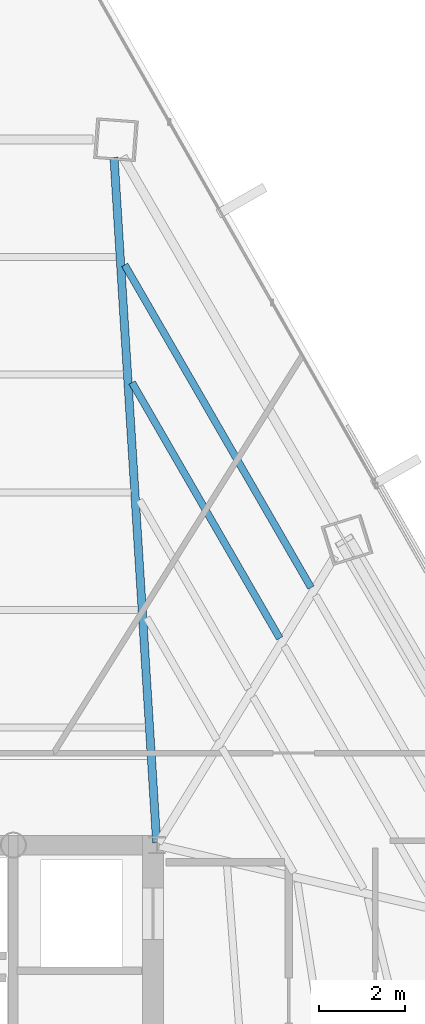
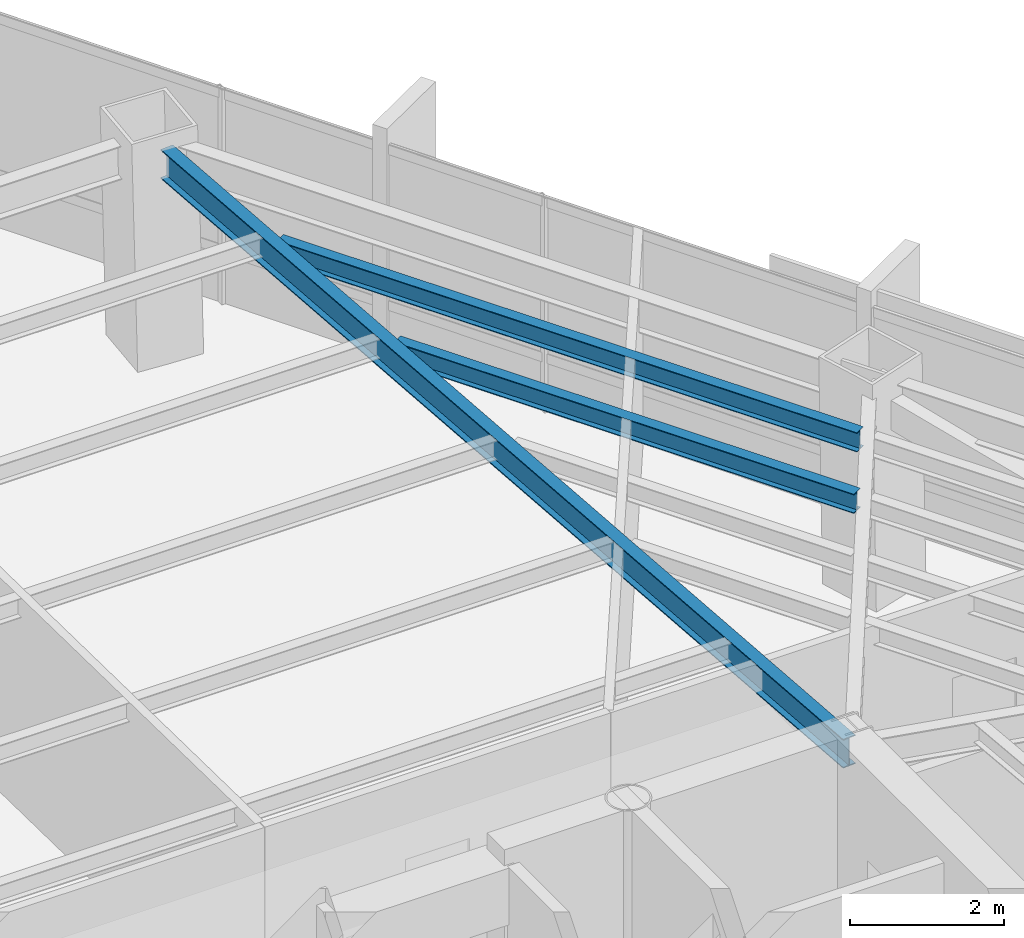
# One storey, part 30 of 39: 3 beams.
"""IFC4 building model written with IfcOpenShell, lengths in metres."""

from ifc_helpers import new_model, si_unit, direction, frame, origin, origin_2d, place, context, subcontext, project, spatial, i_section, extrude, source, transform, mapped, material, material_profile, profile_set, type_object, type_shapes, element, save


model = new_model("IFC4")

# Units and contexts
model_context = context("Model", 3, precision=1e-05, world=origin(), true_north=direction((0.0, 1.0)))
body_context = subcontext(model_context, "Body", "Model", "MODEL_VIEW")
ifc_project = project(units=[si_unit("LENGTHUNIT", "METRE"), si_unit("AREAUNIT", "SQUARE_METRE"), si_unit("VOLUMEUNIT", "CUBIC_METRE"), si_unit("PLANEANGLEUNIT", "RADIAN"), si_unit("MASSUNIT", "GRAM", prefix="KILO")], contexts=[model_context])

# Site, building, storey
site_placement = place(None, origin())
site = spatial("IfcSite", under=ifc_project, at=site_placement, CompositionType="ELEMENT")
building_placement = place(site_placement, origin())
building = spatial("IfcBuilding", under=site, at=building_placement, Name="Caelisora Broadcast Tower", CompositionType="ELEMENT")
storey_placement = place(building_placement, frame((0.0, 0.0, 142.75)))
storey = spatial("IfcBuildingStorey", under=building, at=storey_placement, Name="L37", CompositionType="ELEMENT", Elevation=142.75)

# Beams
ifc_material = material(Name="Steel Grade 350 (AS/NZS 3679.1)", Category="steel")
ifc_material_profile_1 = material_profile(ifc_material, i_section(OverallWidth=0.19091796875, OverallDepth=0.46044921875, WebThickness=0.010009765625, FlangeThickness=0.01611328125, at=origin_2d()), Name="Steel Grade 350 (AS/NZS 3679.1)")
ifc_profile_set_1 = profile_set([ifc_material_profile_1], Name="Steel Grade 350 (AS/NZS 3679.1)")
beam_type_1 = type_object("IfcBeamType", Name="PG06", PredefinedType="BEAM", material=ifc_profile_set_1)
shared_shape_1 = source(origin(), body_context, "Body", "SweptSolid", [
    extrude(i_section(OverallWidth=0.19091796875, OverallDepth=0.46044921875, WebThickness=0.010009765625, FlangeThickness=0.01611328125, at=origin_2d()), origin(), (0.0, 0.0, 1.0), 16.033203125),
])
type_shapes(beam_type_1, [shared_shape_1])
beam_1_placement = place(storey_placement, frame((45.496337890625, 30.059814453125, 3.169921875), z_axis=(-0.062157401456, 0.998066359239, 0.0), x_axis=(-0.998066359239, -0.062157401456, 0.0)))
element("IfcBeam", 1, at=beam_1_placement, inside=storey, type_object=beam_type_1, Name="L37 beam PG06", PredefinedType="BEAM", context=body_context, shape_type="MappedRepresentation", body=[
    mapped(shared_shape_1, transform((0.0, 0.0, 0.0), scale=1.0)),
])
ifc_material_profile_2 = material_profile(ifc_material, i_section(OverallWidth=0.166015625, OverallDepth=0.30712890625, WebThickness=0.006591796875, FlangeThickness=0.01171875, at=origin_2d()), Name="Steel Grade 350 (AS/NZS 3679.1)")
ifc_profile_set_2 = profile_set([ifc_material_profile_2], Name="Steel Grade 350 (AS/NZS 3679.1)")
beam_type_2 = type_object("IfcBeamType", Name="SB03", PredefinedType="JOIST", material=ifc_profile_set_2)
shared_shape_2 = source(origin(), body_context, "Body", "SweptSolid", [
    extrude(i_section(OverallWidth=0.166015625, OverallDepth=0.30712890625, WebThickness=0.006591796875, FlangeThickness=0.01171875, at=origin_2d()), origin(), (0.0, 0.0, 1.0), 6.8974609375),
])
beam_2_placement = place(storey_placement, frame((48.3701171875, 34.830810546875, 3.246337890625), z_axis=(-0.499999229181, 0.866025848816, 0.0), x_axis=(-0.866025848816, -0.499999229181, 0.0)))
element("IfcBeam", 2, at=beam_2_placement, inside=storey, type_object=beam_type_2, Name="L37 beam SB03", PredefinedType="JOIST", context=body_context, shape_type="MappedRepresentation", body=[
    mapped(shared_shape_2, transform((0.0, 0.0, 0.0), scale=1.0)),
])
shared_shape_3 = source(origin(), body_context, "Body", "SweptSolid", [
    extrude(i_section(OverallWidth=0.166015625, OverallDepth=0.30712890625, WebThickness=0.006591796875, FlangeThickness=0.01171875, at=origin_2d()), origin(), (0.0, 0.0, 1.0), 8.700927734375),
])
type_shapes(beam_type_2, [shared_shape_2, shared_shape_3])
beam_3_placement = place(storey_placement, frame((49.100830078125, 36.015869140625, 3.246337890625), z_axis=(-0.499992871985, 0.866029519106, 0.0), x_axis=(-0.866029519106, -0.499992871985, 0.0)))
element("IfcBeam", 3, at=beam_3_placement, inside=storey, type_object=beam_type_2, Name="L37 beam SB03", PredefinedType="JOIST", context=body_context, shape_type="MappedRepresentation", body=[
    mapped(shared_shape_3, transform((0.0, 0.0, 0.0), scale=1.0)),
])

save(model, "model.ifc")
